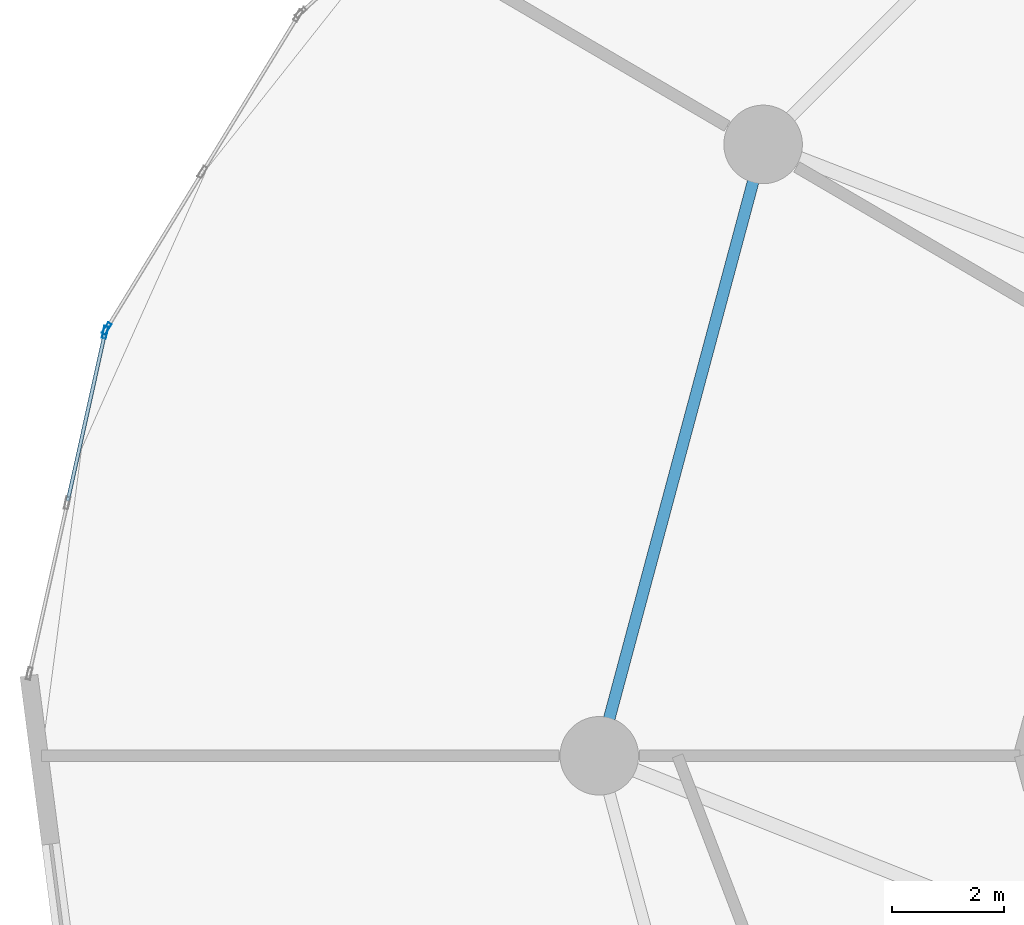
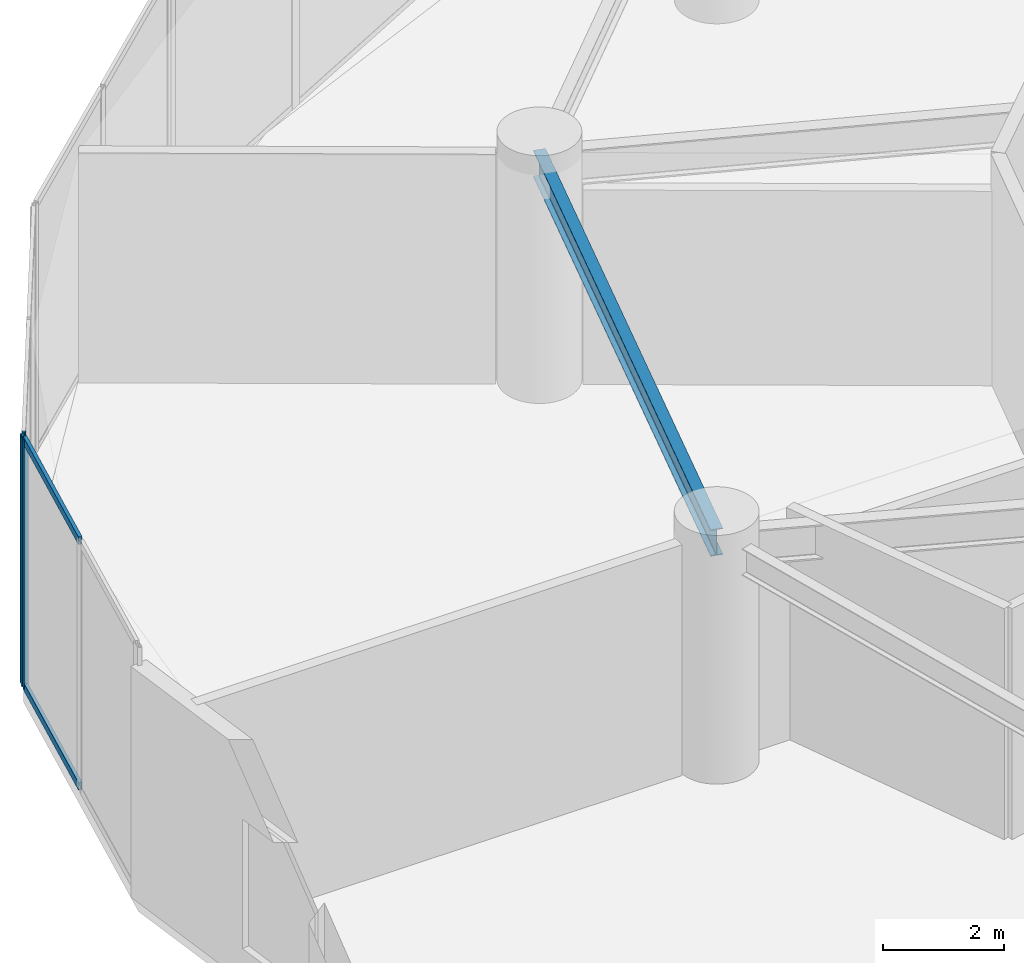
# One storey, part 8 of 31: 4 members, 1 beam, 2 elements without a shape of their own.
"""IFC4 building model written with IfcOpenShell, lengths in metres."""

from ifc_helpers import new_model, si_unit, direction, frame, origin, origin_2d, place, context, subcontext, project, spatial, hollow_rectangle, i_section, extrude, source, transform, mapped, material, layer, layer_set, material_profile, profile_set, type_object, element, aggregate, save


model = new_model("IFC4")

# Units and contexts
model_context = context("Model", 3, precision=1e-05, world=origin(), true_north=direction((0.0, 1.0)))
body_context = subcontext(model_context, "Body", "Model", "MODEL_VIEW")
ifc_project = project(units=[si_unit("LENGTHUNIT", "METRE"), si_unit("AREAUNIT", "SQUARE_METRE"), si_unit("VOLUMEUNIT", "CUBIC_METRE"), si_unit("PLANEANGLEUNIT", "RADIAN"), si_unit("MASSUNIT", "GRAM", prefix="KILO")], contexts=[model_context])

# Site, building, storey
site_placement = place(None, origin())
site = spatial("IfcSite", under=ifc_project, at=site_placement, CompositionType="ELEMENT")
building_placement = place(site_placement, origin())
building = spatial("IfcBuilding", under=site, at=building_placement, Name="Solvirekh Grand Hotel", CompositionType="ELEMENT")
storey_placement = place(building_placement, frame((0.0, 0.0, 18.60009765625)))
storey = spatial("IfcBuildingStorey", under=building, at=storey_placement, Name="L03", CompositionType="ELEMENT", Elevation=18.60009765625)

# Beam
ifc_material_1 = material(Name="Steel S355", Category="steel")
ifc_material_profile_1 = material_profile(ifc_material_1, i_section(OverallWidth=0.208984375, OverallDepth=0.532958984375, WebThickness=0.010009765625, FlangeThickness=0.014892578125, FilletRadius=0.013916015625, at=origin_2d()), Name="W530X92")
ifc_profile_set_1 = profile_set([ifc_material_profile_1], Name="Steel S355")
beam_type = type_object("IfcBeamType", Name="Spandrel_Ring_W530", PredefinedType="SPANDREL", material=ifc_profile_set_1)
beam_placement = place(storey_placement, frame((-18.87890625, 10.89990234375, 4.372802734375), z_axis=(-0.258862249378, -0.965914248703, 0.0), x_axis=(0.965914248703, -0.258862249378, 0.0)))
element("IfcBeam", 1, at=beam_placement, inside=storey, type_object=beam_type, Name="L03 perimeter spandrel beam 6", PredefinedType="SPANDREL", context=body_context, shape_type="SweptSolid", body=[
    extrude(i_section(OverallWidth=0.208984375, OverallDepth=0.532958984375, WebThickness=0.010009765625, FlangeThickness=0.014892578125, FilletRadius=0.013916015625, at=origin_2d()), origin(), (0.0, 0.0, 1.0), 11.284423828125),
])

# Curtain wall, members
ifc_material_2 = material(Name="Anodized Bronze Aluminium 6063-T6", Category="aluminium")
ifc_layer = layer(ifc_material_2, 0.219970703125)
ifc_layer_set = layer_set([ifc_layer], Name="Anodized Bronze Aluminium 6063-T6")
curtain_wall_type = type_object("IfcCurtainWallType", Name="CW_Sys1_PodiumBronzeUnitised", PredefinedType="NOTDEFINED", material=ifc_layer_set)
curtain_wall_1_placement = place(storey_placement, origin())
curtain_wall_1 = element("IfcCurtainWall", 2, at=curtain_wall_1_placement, inside=storey, type_object=curtain_wall_type, Name="L03 unitised bronze-glass curtain wall CW-L03-C12", PredefinedType="NOTDEFINED")
ifc_material_profile_2 = material_profile(ifc_material_2, hollow_rectangle(XDim=0.06494140625, YDim=0.14990234375, WallThickness=0.0048828125, at=origin_2d()), Name="ALU RHS 150X65X5")
ifc_profile_set_2 = profile_set([ifc_material_profile_2], Name="Anodized Bronze Aluminium 6063-T6")
member_type_1 = type_object("IfcMemberType", Name="CWTransom_Sys1", PredefinedType="USERDEFINED", material=ifc_profile_set_2)
shared_shape_1 = source(origin(), body_context, "Body", "SweptSolid", [
    extrude(hollow_rectangle(XDim=0.06494140625, YDim=0.14990234375, WallThickness=0.0048828125, at=origin_2d()), origin(), (0.0, 0.0, 1.0), 3.040771484375),
])
member_1_placement = place(storey_placement, frame((-30.6171875, 7.5126953125, 0.032470703125), z_axis=(-0.216777435787, -0.976221052495, 0.0), x_axis=(0.976221052495, -0.216777435787, 0.0)))
member_1 = element("IfcMember", 3, at=member_1_placement, type_object=member_type_1, Name="U01 transom 1.1", ObjectType="TRANSOM", PredefinedType="USERDEFINED", context=body_context, shape_type="MappedRepresentation", body=[
    mapped(shared_shape_1, transform((0.0, 0.0, 0.0), x_axis=(1.0, 0.0, 0.0), y_axis=(0.0, 1.0, 0.0), z_axis=(0.0, 0.0, 1.0), scale=1.0)),
])
member_2_placement = place(storey_placement, frame((-30.6171875, 7.5126953125, 4.96728515625), z_axis=(-0.216777435787, -0.976221052495, 0.0), x_axis=(0.976221052495, -0.216777435787, 0.0)))
member_2 = element("IfcMember", 4, at=member_2_placement, type_object=member_type_1, Name="U01 transom 1.2", ObjectType="TRANSOM", PredefinedType="USERDEFINED", context=body_context, shape_type="MappedRepresentation", body=[
    mapped(shared_shape_1, transform((0.0, 0.0, 0.0), x_axis=(1.0, 0.0, 0.0), y_axis=(0.0, 1.0, 0.0), z_axis=(0.0, 0.0, 1.0), scale=1.0)),
])

# Curtain wall, member
curtain_wall_2_placement = place(storey_placement, origin())
curtain_wall_2 = element("IfcCurtainWall", 5, at=curtain_wall_2_placement, inside=storey, type_object=curtain_wall_type, Name="L03 unitised bronze-glass curtain wall CW-L03-C11", PredefinedType="NOTDEFINED")
ifc_material_profile_3 = material_profile(ifc_material_2, hollow_rectangle(XDim=0.074951171875, YDim=0.219970703125, WallThickness=0.006103515625, at=origin_2d()), Name="ALU RHS 220X75X6")
ifc_profile_set_3 = profile_set([ifc_material_profile_3], Name="Anodized Bronze Aluminium 6063-T6")
member_type_2 = type_object("IfcMemberType", Name="CWMullion_Sys1", PredefinedType="MULLION", material=ifc_profile_set_3)
shared_shape_2 = source(origin(), body_context, "Body", "SweptSolid", [
    extrude(hollow_rectangle(XDim=0.074951171875, YDim=0.219970703125, WallThickness=0.006103515625, at=origin_2d()), origin(), (0.0, 0.0, 1.0), 5.0),
])
member_3_placement = place(storey_placement, frame((-30.58154296875, 7.617919921875, 0.0), z_axis=(0.0, 0.0, 1.0), x_axis=(0.852922763762, -0.522037124212, 0.0)))
member_3 = element("IfcMember", 6, at=member_3_placement, type_object=member_type_2, Name="U01 mullion 3", PredefinedType="MULLION", context=body_context, shape_type="MappedRepresentation", body=[
    mapped(shared_shape_2, transform((0.0, 0.0, 0.0), x_axis=(1.0, 0.0, 0.0), y_axis=(0.0, 1.0, 0.0), z_axis=(0.0, 0.0, 1.0), scale=1.0)),
])
aggregate(curtain_wall_2, [member_3])

# Member
member_4_placement = place(storey_placement, frame((-30.609130859375, 7.54931640625, 0.0), z_axis=(0.0, 0.0, 1.0), x_axis=(0.976228080687, -0.216745783068, 0.0)))
member_4 = element("IfcMember", 7, at=member_4_placement, type_object=member_type_2, Name="U01 mullion 1", PredefinedType="MULLION", context=body_context, shape_type="MappedRepresentation", body=[
    mapped(shared_shape_2, transform((0.0, 0.0, 0.0), x_axis=(1.0, 0.0, 0.0), y_axis=(0.0, 1.0, 0.0), z_axis=(0.0, 0.0, 1.0), scale=1.0)),
])

aggregate(curtain_wall_1, [member_4, member_1, member_2])

save(model, "model.ifc")
